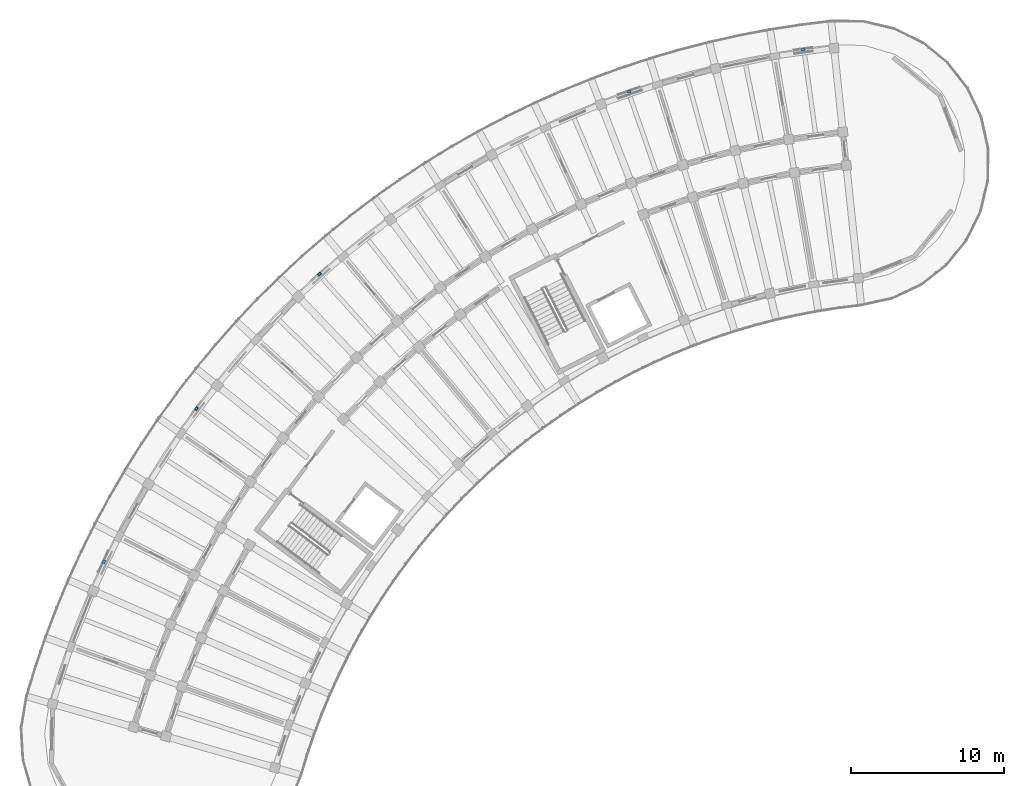
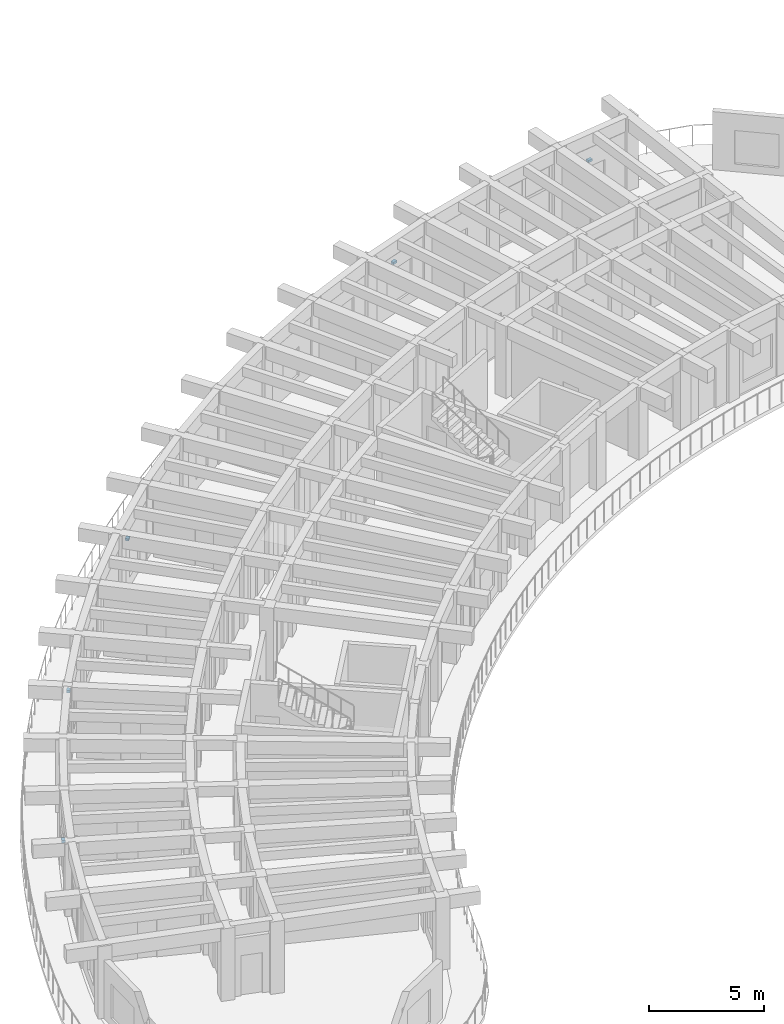
# One storey, part 104 of 128: 5 discrete accessories.
"""IFC4 building model written with IfcOpenShell, lengths in metres."""

from ifc_helpers import new_model, si_unit, direction, frame, origin, origin_2d, place, context, subcontext, project, spatial, rectangle, extrude, material, type_object, element, save


model = new_model("IFC4")

# Units and contexts
model_context = context("Model", 3, precision=1e-05, world=origin(), true_north=direction((0.0, 1.0)))
body_context = subcontext(model_context, "Body", "Model", "MODEL_VIEW")
ifc_project = project(units=[si_unit("LENGTHUNIT", "METRE"), si_unit("AREAUNIT", "SQUARE_METRE"), si_unit("VOLUMEUNIT", "CUBIC_METRE"), si_unit("PLANEANGLEUNIT", "RADIAN"), si_unit("MASSUNIT", "GRAM", prefix="KILO")], contexts=[model_context])

# Site, building, storey
site_placement = place(None, origin())
site = spatial("IfcSite", under=ifc_project, at=site_placement, CompositionType="ELEMENT")
building_placement = place(site_placement, origin())
building = spatial("IfcBuilding", under=site, at=building_placement, Name="Tanwirah Colonnade Gardens", CompositionType="ELEMENT")
storey_placement = place(building_placement, frame((0.0, 0.0, 4.760009765625)))
storey = spatial("IfcBuildingStorey", under=building, at=storey_placement, Name="L01", CompositionType="ELEMENT", Elevation=4.760009765625)

# Discrete accessories
ifc_material = material(Name="Steel S355", Category="steel")
discrete_accessory_type = type_object("IfcDiscreteAccessoryType", Name="BRK-SS1", PredefinedType="BRACKET", material=ifc_material)
for number, where, z_axis, x_axis, name in (
    (1, (56.756103515625, 119.330810546875, 2.099853515625), (0.0, 0.0, 1.0), (-0.990535930424, -0.137253672221, 0.0), "Solar screen support bracket A-L01-00"),
    (2, (45.39111328125, 116.590576171875, 2.349853515625), (0.0, 0.0, 1.0), (-0.944248878284, -0.329232525519, 0.0), "Solar screen support bracket A-L01-03"),
    (3, (25.174560546875, 104.678466796875, 2.010009765625), (0.0, 0.0, 1.0), (-0.744442133721, -0.667686984702, 0.0), "Solar screen support bracket A-L01-09"),
    (4, (17.150390625, 95.90478515625, 2.099853515625), (0.0, 0.0, 1.0), (-0.598712552474, -0.800963968921, 0.0), "Solar screen support bracket A-L01-12"),
    (5, (11.10986328125, 85.8955078125, 2.349853515625), (0.0, 0.0, 1.0), (-0.429636635886, -0.903001861075, 0.0), "Solar screen support bracket A-L01-15"),
):
    element("IfcDiscreteAccessory", number, at=place(storey_placement, frame(where, z_axis=z_axis, x_axis=x_axis)), inside=storey, type_object=discrete_accessory_type, Name=name, PredefinedType="BRACKET", context=body_context, shape_type="SweptSolid", body=[
        extrude(rectangle(XDim=0.219970703125, YDim=0.159912109375, at=origin_2d()), origin(), (0.0, 0.0, 1.0), 0.1201171875),
    ])

save(model, "model.ifc")
